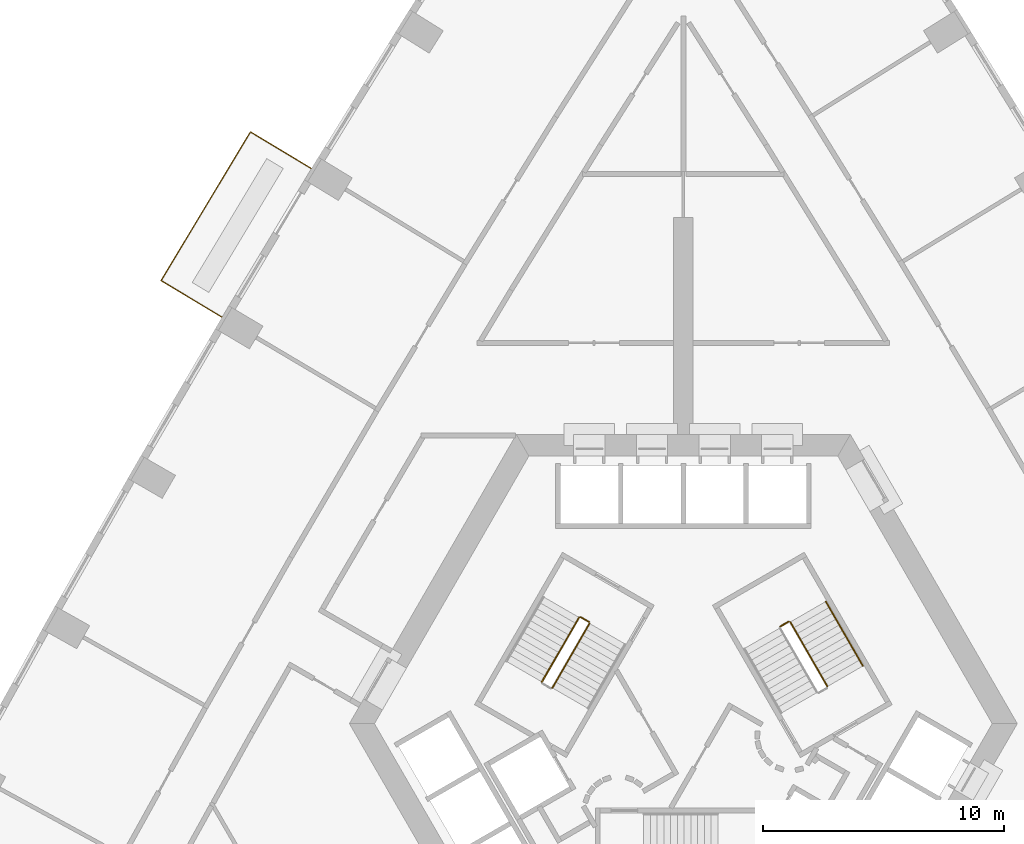
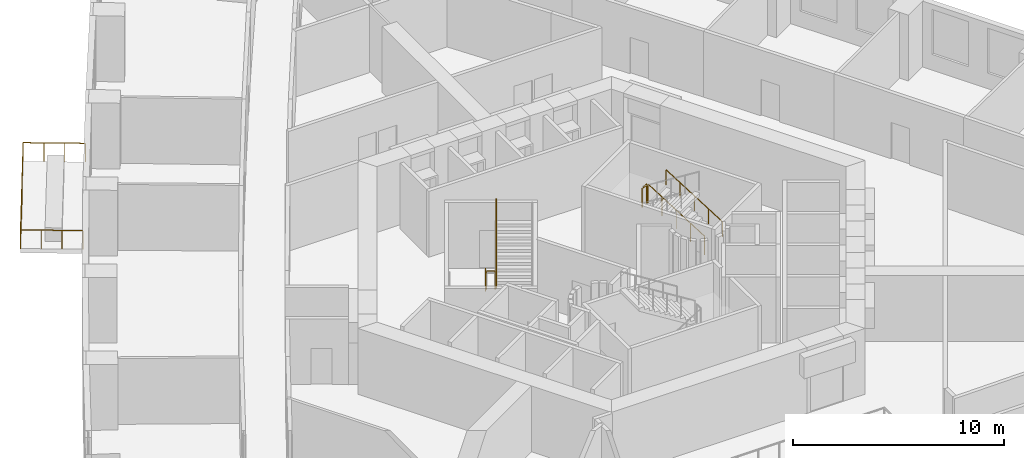
# One storey, part 15 of 16: 7 railings.
"""IFC4 building model written with IfcOpenShell, lengths in metres."""

from ifc_helpers import new_model, si_unit, direction, frame, origin, origin_2d, place, context, subcontext, project, spatial, circle, extrude, material, type_object, element, save


model = new_model("IFC4")

# Units and contexts
model_context = context("Model", 3, precision=1e-05, world=origin(), true_north=direction((0.0, 1.0)))
body_context = subcontext(model_context, "Body", "Model", "MODEL_VIEW")
ifc_project = project(units=[si_unit("LENGTHUNIT", "METRE"), si_unit("AREAUNIT", "SQUARE_METRE"), si_unit("VOLUMEUNIT", "CUBIC_METRE"), si_unit("PLANEANGLEUNIT", "RADIAN"), si_unit("MASSUNIT", "GRAM", prefix="KILO")], contexts=[model_context])

# Site, building, storey
site_placement = place(None, origin())
site = spatial("IfcSite", under=ifc_project, at=site_placement, CompositionType="ELEMENT")
building_placement = place(site_placement, origin())
building = spatial("IfcBuilding", under=site, at=building_placement, Name="Entoto Arch Interchange Tower", CompositionType="ELEMENT")
storey_placement = place(building_placement, frame((0.0, 0.0, 95.0)))
storey = spatial("IfcBuildingStorey", under=building, at=storey_placement, Name="L20", CompositionType="ELEMENT", Elevation=95.0)

# Railings
ifc_material = material(Name="Stainless steel 1.4301", Category="steel")
railing_type_1 = type_object("IfcRailingType", Name="GUARD 1100 STEEL AND GLASS", PredefinedType="GUARDRAIL", material=ifc_material)
railing_1_placement = place(storey_placement, frame((-15.43310546875, 25.532958984375, 0.0)))
element("IfcRailing", 1, at=railing_1_placement, inside=storey, type_object=railing_type_1, Name="Balcony guard NW-03 L20", PredefinedType="GUARDRAIL", context=body_context, shape_type="SweptSolid", body=[
    extrude(circle(Radius=0.02392578125, at=origin_2d()), frame((0.0, 0.0, 1.076171875), z_axis=(-0.857083792014, 0.515177031191, 0.0), x_axis=(-0.515177031191, -0.857083792014, 0.0)), (0.0, 0.0, 1.0), 2.950439453125),
    extrude(circle(Radius=0.02392578125, at=origin_2d()), frame((-2.52880859375, 1.52001953125, 1.076171875), z_axis=(-0.515114087296, -0.857121623265, 0.0), x_axis=(0.857121623265, -0.515114087296, 0.0)), (0.0, 0.0, 1.0), 7.198486328125),
    extrude(circle(Radius=0.02392578125, at=origin_2d()), frame((-6.23681640625, -4.64990234375, 1.076171875), z_axis=(0.857083792014, -0.515177031191, 0.0), x_axis=(0.515177031191, 0.857083792014, 0.0)), (0.0, 0.0, 1.0), 2.950439453125),
    extrude(circle(Radius=0.02099609375, at=origin_2d()), origin(), (0.0, 0.0, 1.0), 1.052001953125),
    extrude(circle(Radius=0.02099609375, at=origin_2d()), frame((-0.843017578125, 0.506591796875, 0.0)), (0.0, 0.0, 1.0), 1.052001953125),
    extrude(circle(Radius=0.02099609375, at=origin_2d()), frame((-1.685791015625, 1.013427734375, 0.0)), (0.0, 0.0, 1.0), 1.052001953125),
    extrude(circle(Radius=0.02099609375, at=origin_2d()), frame((-2.52880859375, 1.52001953125, 0.0)), (0.0, 0.0, 1.0), 1.052001953125),
    extrude(circle(Radius=0.02099609375, at=origin_2d()), frame((-3.146728515625, 0.49169921875, 0.0)), (0.0, 0.0, 1.0), 1.052001953125),
    extrude(circle(Radius=0.02099609375, at=origin_2d()), frame((-3.764892578125, -0.53662109375, 0.0)), (0.0, 0.0, 1.0), 1.052001953125),
    extrude(circle(Radius=0.02099609375, at=origin_2d()), frame((-4.3828125, -1.56494140625, 0.0)), (0.0, 0.0, 1.0), 1.052001953125),
    extrude(circle(Radius=0.02099609375, at=origin_2d()), frame((-5.000732421875, -2.59326171875, 0.0)), (0.0, 0.0, 1.0), 1.052001953125),
    extrude(circle(Radius=0.02099609375, at=origin_2d()), frame((-5.618896484375, -3.62158203125, 0.0)), (0.0, 0.0, 1.0), 1.052001953125),
    extrude(circle(Radius=0.02099609375, at=origin_2d()), frame((-6.23681640625, -4.64990234375, 0.0)), (0.0, 0.0, 1.0), 1.052001953125),
    extrude(circle(Radius=0.02099609375, at=origin_2d()), frame((-5.393798828125, -5.156494140625, 0.0)), (0.0, 0.0, 1.0), 1.052001953125),
    extrude(circle(Radius=0.02099609375, at=origin_2d()), frame((-4.551025390625, -5.663330078125, 0.0)), (0.0, 0.0, 1.0), 1.052001953125),
    extrude(circle(Radius=0.02099609375, at=origin_2d()), frame((-3.7080078125, -6.169921875, 0.0)), (0.0, 0.0, 1.0), 1.052001953125),
])
railing_type_2 = type_object("IfcRailingType", Name="STAIR GUARD 1100 STEEL", PredefinedType="GUARDRAIL", material=ifc_material)
railing_2_placement = place(storey_placement, frame((5.977783203125, 4.046142578125, 0.175048828125)))
element("IfcRailing", 2, at=railing_2_placement, inside=storey, type_object=railing_type_2, Name="L20 ST-NE stair guard 1", PredefinedType="GUARDRAIL", context=body_context, shape_type="SweptSolid", body=[
    extrude(circle(Radius=0.02392578125, at=origin_2d()), frame((0.0, 0.0, 1.076171875), z_axis=(-0.424015404183, 0.734364028329, 0.530019255228), x_axis=(-0.866010015463, -0.500026652407, 0.0)), (0.0, 0.0, 1.0), 3.632080078125),
    extrude(circle(Radius=0.02099609375, at=origin_2d()), origin(), (0.0, 0.0, 1.0), 1.052001953125),
    extrude(circle(Radius=0.02099609375, at=origin_2d()), frame((-0.385009765625, 0.666748046875, 0.481201171875)), (0.0, 0.0, 1.0), 1.052001953125),
    extrude(circle(Radius=0.02099609375, at=origin_2d()), frame((-0.77001953125, 1.33349609375, 0.96240234375)), (0.0, 0.0, 1.0), 1.052001953125),
    extrude(circle(Radius=0.02099609375, at=origin_2d()), frame((-1.155029296875, 2.00048828125, 1.44384765625)), (0.0, 0.0, 1.0), 1.052001953125),
    extrude(circle(Radius=0.02099609375, at=origin_2d()), frame((-1.5400390625, 2.667236328125, 1.925048828125)), (0.0, 0.0, 1.0), 1.052001953125),
])
railing_3_placement = place(storey_placement, frame((4.36962890625, 6.731689453125, 2.10009765625)))
element("IfcRailing", 3, at=railing_3_placement, inside=storey, type_object=railing_type_2, Name="L20 ST-NE stair guard 2", PredefinedType="GUARDRAIL", context=body_context, shape_type="SweptSolid", body=[
    extrude(circle(Radius=0.02392578125, at=origin_2d()), frame((0.0, 0.0, 1.076171875), z_axis=(-0.866094119867, -0.499880961361, 0.0), x_axis=(0.499880961361, -0.866094119867, 0.0)), (0.0, 0.0, 1.0), 0.39990234375),
    extrude(circle(Radius=0.02099609375, at=origin_2d()), origin(), (0.0, 0.0, 1.0), 1.052001953125),
    extrude(circle(Radius=0.02099609375, at=origin_2d()), frame((-0.346435546875, -0.199951171875, 0.0)), (0.0, 0.0, 1.0), 1.052001953125),
])
railing_4_placement = place(storey_placement, frame((-4.327880859375, 6.904052734375, 0.175048828125)))
element("IfcRailing", 4, at=railing_4_placement, inside=storey, type_object=railing_type_2, Name="L20 ST-NW stair guard 1", PredefinedType="GUARDRAIL", context=body_context, shape_type="SweptSolid", body=[
    extrude(circle(Radius=0.02392578125, at=origin_2d()), frame((0.0, 0.0, 1.076171875), z_axis=(-0.423994474112, -0.734394994316, 0.52999309264), x_axis=(0.866029832698, -0.499992328818, 0.0)), (0.0, 0.0, 1.0), 3.63232421875),
    extrude(circle(Radius=0.02099609375, at=origin_2d()), origin(), (0.0, 0.0, 1.0), 1.052001953125),
    extrude(circle(Radius=0.02099609375, at=origin_2d()), frame((-0.385009765625, -0.6669921875, 0.481201171875)), (0.0, 0.0, 1.0), 1.052001953125),
    extrude(circle(Radius=0.02099609375, at=origin_2d()), frame((-0.77001953125, -1.333740234375, 0.96240234375)), (0.0, 0.0, 1.0), 1.052001953125),
    extrude(circle(Radius=0.02099609375, at=origin_2d()), frame((-1.155029296875, -2.00048828125, 1.44384765625)), (0.0, 0.0, 1.0), 1.052001953125),
    extrude(circle(Radius=0.02099609375, at=origin_2d()), frame((-1.5400390625, -2.66748046875, 1.925048828125)), (0.0, 0.0, 1.0), 1.052001953125),
])
railing_5_placement = place(storey_placement, frame((-5.434814453125, 3.986572265625, 2.27490234375)))
element("IfcRailing", 5, at=railing_5_placement, inside=storey, type_object=railing_type_2, Name="L20 ST-NW stair guard 3", PredefinedType="GUARDRAIL", context=body_context, shape_type="SweptSolid", body=[
    extrude(circle(Radius=0.02392578125, at=origin_2d()), frame((0.0, 0.0, 1.076171875), z_axis=(0.423994474112, 0.734394994316, 0.52999309264), x_axis=(-0.866029832698, 0.499992328818, 0.0)), (0.0, 0.0, 1.0), 3.63232421875),
    extrude(circle(Radius=0.02099609375, at=origin_2d()), origin(), (0.0, 0.0, 1.0), 1.052001953125),
    extrude(circle(Radius=0.02099609375, at=origin_2d()), frame((0.385009765625, 0.6669921875, 0.481201171875)), (0.0, 0.0, 1.0), 1.052001953125),
    extrude(circle(Radius=0.02099609375, at=origin_2d()), frame((0.77001953125, 1.333740234375, 0.96240234375)), (0.0, 0.0, 1.0), 1.052001953125),
    extrude(circle(Radius=0.02099609375, at=origin_2d()), frame((1.155029296875, 2.00048828125, 1.44384765625)), (0.0, 0.0, 1.0), 1.052001953125),
    extrude(circle(Radius=0.02099609375, at=origin_2d()), frame((1.5400390625, 2.66748046875, 1.925048828125)), (0.0, 0.0, 1.0), 1.052001953125),
])
railing_6_placement = place(storey_placement, frame((-4.259521484375, 6.92236328125, 0.0)))
element("IfcRailing", 6, at=railing_6_placement, inside=storey, type_object=railing_type_2, Name="L20 ST-NW stair guard 4", PredefinedType="GUARDRAIL", context=body_context, shape_type="SweptSolid", body=[
    extrude(circle(Radius=0.02392578125, at=origin_2d()), frame((0.0, 0.0, 1.076171875), z_axis=(0.865829829939, -0.500338590944, 0.0), x_axis=(0.500338590944, 0.865829829939, 0.0)), (0.0, 0.0, 1.0), 0.400146484375),
    extrude(circle(Radius=0.02099609375, at=origin_2d()), origin(), (0.0, 0.0, 1.0), 1.052001953125),
    extrude(circle(Radius=0.02099609375, at=origin_2d()), frame((0.346435546875, -0.2001953125, 0.0)), (0.0, 0.0, 1.0), 1.052001953125),
])
railing_type_3 = type_object("IfcRailingType", Name="STAIR HANDRAIL 900 STEEL", PredefinedType="HANDRAIL", material=ifc_material)
railing_7_placement = place(storey_placement, frame((7.4501953125, 4.89599609375, 0.175048828125)))
element("IfcRailing", 7, at=railing_7_placement, inside=storey, type_object=railing_type_3, Name="L20 ST-NE stair handrail 1", PredefinedType="HANDRAIL", context=body_context, shape_type="SweptSolid", body=[
    extrude(circle(Radius=0.02392578125, at=origin_2d()), frame((0.0, 0.0, 0.8759765625), z_axis=(-0.423994474112, 0.734394994316, 0.52999309264), x_axis=(-0.866029832698, -0.499992328818, 0.0)), (0.0, 0.0, 1.0), 3.63232421875),
    extrude(circle(Radius=0.02099609375, at=origin_2d()), origin(), (0.0, 0.0, 1.0), 0.851806640625),
    extrude(circle(Radius=0.02099609375, at=origin_2d()), frame((-0.385009765625, 0.6669921875, 0.481201171875)), (0.0, 0.0, 1.0), 0.851806640625),
    extrude(circle(Radius=0.02099609375, at=origin_2d()), frame((-0.77001953125, 1.333740234375, 0.96240234375)), (0.0, 0.0, 1.0), 0.851806640625),
    extrude(circle(Radius=0.02099609375, at=origin_2d()), frame((-1.155029296875, 2.00048828125, 1.44384765625)), (0.0, 0.0, 1.0), 0.851806640625),
    extrude(circle(Radius=0.02099609375, at=origin_2d()), frame((-1.5400390625, 2.66748046875, 1.925048828125)), (0.0, 0.0, 1.0), 0.851806640625),
])

save(model, "model.ifc")
